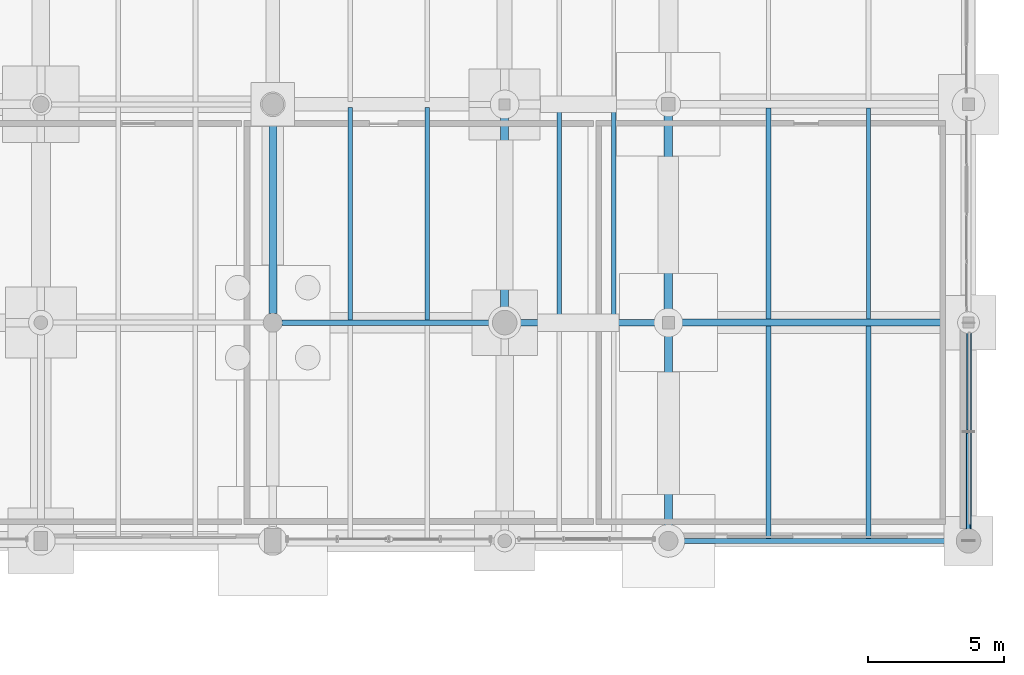
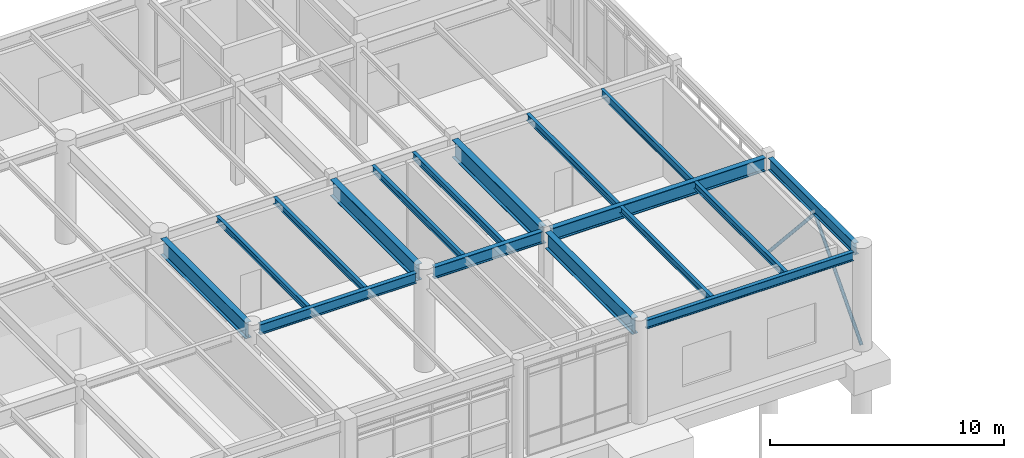
# One storey, part 133 of 203: 17 beams, 2 members.
"""IFC4 building model written with IfcOpenShell, lengths in metres."""

from ifc_helpers import new_model, si_unit, direction, frame, origin, origin_2d, place, context, subcontext, project, spatial, hollow_circle, i_section, extrude, material, material_profile, profile_set, type_object, element, save


model = new_model("IFC4")

# Units and contexts
model_context = context("Model", 3, precision=1e-05, world=origin(), true_north=direction((0.0, 1.0)))
body_context = subcontext(model_context, "Body", "Model", "MODEL_VIEW")
ifc_project = project(units=[si_unit("LENGTHUNIT", "METRE"), si_unit("AREAUNIT", "SQUARE_METRE"), si_unit("VOLUMEUNIT", "CUBIC_METRE"), si_unit("PLANEANGLEUNIT", "RADIAN"), si_unit("MASSUNIT", "GRAM", prefix="KILO"), si_unit("THERMODYNAMICTEMPERATUREUNIT", "KELVIN"), si_unit("POWERUNIT", "WATT")], contexts=[model_context])

# Site, building, storey
site_placement = place(None, origin())
site = spatial("IfcSite", under=ifc_project, at=site_placement, CompositionType="ELEMENT")
building_placement = place(site_placement, origin())
building = spatial("IfcBuilding", under=site, at=building_placement, Name="Tepalcoro Natatorium and Aquatics Centre", CompositionType="ELEMENT")
storey_placement = place(building_placement, origin())
storey = spatial("IfcBuildingStorey", under=building, at=storey_placement, Name="L00", CompositionType="ELEMENT", Elevation=0.0)

# Beams
ifc_material_1 = material(Name="Steel ASTM A992 Grade 50 (Fy 345 MPa)", Category="steel")
ifc_material_profile_1 = material_profile(ifc_material_1, i_section(OverallWidth=0.2099609375, OverallDepth=0.532958984375, WebThickness=0.010009765625, FlangeThickness=0.01611328125, FilletRadius=0.013916015625, at=origin_2d()), Name="W21X62")
ifc_profile_set_1 = profile_set([ifc_material_profile_1], Name="Steel ASTM A992 Grade 50 (Fy 345 MPa)")
beam_type_1 = type_object("IfcBeamType", Name="BM_W21x62", PredefinedType="BEAM", material=ifc_profile_set_1)
beam_1_placement = place(storey_placement, frame((150.8349609375, 94.0, 4.8583984375), z_axis=(1.0, 0.0, 0.0), x_axis=(0.0, 1.0, 0.0)))
element("IfcBeam", 1, at=beam_1_placement, inside=storey, type_object=beam_type_1, Name="V5 L00 Grid Girder X", PredefinedType="BEAM", context=body_context, shape_type="SweptSolid", body=[
    extrude(i_section(OverallWidth=0.2099609375, OverallDepth=0.532958984375, WebThickness=0.010009765625, FlangeThickness=0.01611328125, FilletRadius=0.013916015625, at=origin_2d()), origin(), (0.0, 0.0, 1.0), 7.72998046875),
])
ifc_material_profile_2 = material_profile(ifc_material_1, i_section(OverallWidth=0.22998046875, OverallDepth=0.616943359375, WebThickness=0.012939453125, FlangeThickness=0.02197265625, FilletRadius=0.013916015625, at=origin_2d()), Name="W24X94")
ifc_profile_set_2 = profile_set([ifc_material_profile_2], Name="Steel ASTM A992 Grade 50 (Fy 345 MPa)")
beam_type_2 = type_object("IfcBeamType", Name="BM_W24x94", PredefinedType="BEAM", material=ifc_profile_set_2)
beam_2_placement = place(storey_placement, frame((159.43505859375, 94.0, 4.81640625), z_axis=(1.0, 0.0, 0.0), x_axis=(0.0, 1.0, 0.0)))
element("IfcBeam", 2, at=beam_2_placement, inside=storey, type_object=beam_type_2, Name="V5 L00 Grid Girder X", PredefinedType="BEAM", context=body_context, shape_type="SweptSolid", body=[
    extrude(i_section(OverallWidth=0.22998046875, OverallDepth=0.616943359375, WebThickness=0.012939453125, FlangeThickness=0.02197265625, FilletRadius=0.013916015625, at=origin_2d()), origin(), (0.0, 0.0, 1.0), 5.35498046875),
])
ifc_material_profile_3 = material_profile(ifc_material_1, i_section(OverallWidth=0.25390625, OverallDepth=0.700927734375, WebThickness=0.014892578125, FlangeThickness=0.028076171875, FilletRadius=0.013916015625, at=origin_2d()), Name="W27X129")
ifc_profile_set_3 = profile_set([ifc_material_profile_3], Name="Steel ASTM A992 Grade 50 (Fy 345 MPa)")
beam_type_3 = type_object("IfcBeamType", Name="BM_W27x129", PredefinedType="BEAM", material=ifc_profile_set_3)
beam_3_placement = place(storey_placement, frame((165.2099609375, 94.0, 4.7744140625), z_axis=(1.0, 0.0, 0.0), x_axis=(0.0, 1.0, 0.0)))
element("IfcBeam", 3, at=beam_3_placement, inside=storey, type_object=beam_type_3, Name="V5 L00 Grid Girder X", PredefinedType="BEAM", context=body_context, shape_type="SweptSolid", body=[
    extrude(i_section(OverallWidth=0.25390625, OverallDepth=0.700927734375, WebThickness=0.014892578125, FlangeThickness=0.028076171875, FilletRadius=0.013916015625, at=origin_2d()), origin(), (0.0, 0.0, 1.0), 10.60498046875),
])
ifc_material_profile_4 = material_profile(ifc_material_1, i_section(OverallWidth=0.2919921875, OverallDepth=0.845947265625, WebThickness=0.014892578125, FlangeThickness=0.02392578125, FilletRadius=0.013916015625, at=origin_2d()), Name="W33X141")
ifc_profile_set_4 = profile_set([ifc_material_profile_4], Name="Steel ASTM A992 Grade 50 (Fy 345 MPa)")
beam_type_4 = type_object("IfcBeamType", Name="BM_W33x141", PredefinedType="BEAM", material=ifc_profile_set_4)
beam_4_placement = place(storey_placement, frame((150.5, 94.3349609375, 4.701904296875), z_axis=(0.0, 1.0, 0.0), x_axis=(-1.0, 0.0, 0.0)))
element("IfcBeam", 4, at=beam_4_placement, inside=storey, type_object=beam_type_4, Name="V5 L00 Grid Girder Y", PredefinedType="BEAM", context=body_context, shape_type="SweptSolid", body=[
    extrude(i_section(OverallWidth=0.2919921875, OverallDepth=0.845947265625, WebThickness=0.014892578125, FlangeThickness=0.02392578125, FilletRadius=0.013916015625, at=origin_2d()), origin(), (0.0, 0.0, 1.0), 7.280029296875),
])
beam_5_placement = place(storey_placement, frame((165.0, 86.3349609375, 4.701904296875), z_axis=(0.0, 1.0, 0.0), x_axis=(-1.0, 0.0, 0.0)))
element("IfcBeam", 5, at=beam_5_placement, inside=storey, type_object=beam_type_4, Name="V5 L00 Grid Girder Y", PredefinedType="BEAM", context=body_context, shape_type="SweptSolid", body=[
    extrude(i_section(OverallWidth=0.2919921875, OverallDepth=0.845947265625, WebThickness=0.014892578125, FlangeThickness=0.02392578125, FilletRadius=0.013916015625, at=origin_2d()), origin(), (0.0, 0.0, 1.0), 7.455078125),
])
ifc_material_profile_5 = material_profile(ifc_material_1, i_section(OverallWidth=0.2919921875, OverallDepth=0.85888671875, WebThickness=0.01708984375, FlangeThickness=0.031005859375, FilletRadius=0.013916015625, at=origin_2d()), Name="W33X169")
ifc_profile_set_5 = profile_set([ifc_material_profile_5], Name="Steel ASTM A992 Grade 50 (Fy 345 MPa)")
beam_type_5 = type_object("IfcBeamType", Name="BM_W33x169", PredefinedType="BEAM", material=ifc_profile_set_5)
beam_6_placement = place(storey_placement, frame((159.0, 94.43505859375, 4.695556640625), z_axis=(0.0, 1.0, 0.0), x_axis=(-1.0, 0.0, 0.0)))
element("IfcBeam", 6, at=beam_6_placement, inside=storey, type_object=beam_type_5, Name="V5 L00 Grid Girder Y", PredefinedType="BEAM", context=body_context, shape_type="SweptSolid", body=[
    extrude(i_section(OverallWidth=0.2919921875, OverallDepth=0.85888671875, WebThickness=0.01708984375, FlangeThickness=0.031005859375, FilletRadius=0.013916015625, at=origin_2d()), origin(), (0.0, 0.0, 1.0), 7.3798828125),
])
ifc_material_profile_6 = material_profile(ifc_material_1, i_section(OverallWidth=0.304931640625, OverallDepth=0.9189453125, WebThickness=0.01708984375, FlangeThickness=0.028076171875, FilletRadius=0.013916015625, at=origin_2d()), Name="W36X170")
ifc_profile_set_6 = profile_set([ifc_material_profile_6], Name="Steel ASTM A992 Grade 50 (Fy 345 MPa)")
beam_type_6 = type_object("IfcBeamType", Name="BM_W36x170", PredefinedType="BEAM", material=ifc_profile_set_6)
beam_7_placement = place(storey_placement, frame((165.0, 94.2099609375, 4.66552734375), z_axis=(0.0, 1.0, 0.0), x_axis=(-1.0, 0.0, 0.0)))
element("IfcBeam", 7, at=beam_7_placement, inside=storey, type_object=beam_type_6, Name="V5 L00 Grid Girder Y", PredefinedType="BEAM", context=body_context, shape_type="SweptSolid", body=[
    extrude(i_section(OverallWidth=0.304931640625, OverallDepth=0.9189453125, WebThickness=0.01708984375, FlangeThickness=0.028076171875, FilletRadius=0.013916015625, at=origin_2d()), origin(), (0.0, 0.0, 1.0), 7.554931640625),
])
ifc_material_profile_7 = material_profile(ifc_material_1, i_section(OverallWidth=0.1669921875, OverallDepth=0.318115234375, WebThickness=0.008056640625, FlangeThickness=0.012939453125, FilletRadius=0.013916015625, at=origin_2d()), Name="W12X35")
ifc_profile_set_7 = profile_set([ifc_material_profile_7], Name="Steel ASTM A992 Grade 50 (Fy 345 MPa)")
beam_type_7 = type_object("IfcBeamType", Name="JS_W12x35", PredefinedType="JOIST", material=ifc_profile_set_7)
beam_8_placement = place(storey_placement, frame((153.333251953125, 94.10498046875, 4.966064453125), z_axis=(0.0, 1.0, 0.0), x_axis=(-1.0, 0.0, 0.0)))
element("IfcBeam", 8, at=beam_8_placement, inside=storey, type_object=beam_type_7, Name="V5 L00 Floor Joist", PredefinedType="JOIST", context=body_context, shape_type="SweptSolid", body=[
    extrude(i_section(OverallWidth=0.1669921875, OverallDepth=0.318115234375, WebThickness=0.008056640625, FlangeThickness=0.012939453125, FilletRadius=0.013916015625, at=origin_2d()), origin(), (0.0, 0.0, 1.0), 7.7890625),
])
ifc_material_profile_8 = material_profile(ifc_material_1, i_section(OverallWidth=0.1708984375, OverallDepth=0.35107421875, WebThickness=0.007080078125, FlangeThickness=0.010009765625, FilletRadius=0.013916015625, at=origin_2d()), Name="W14X30")
ifc_profile_set_8 = profile_set([ifc_material_profile_8], Name="Steel ASTM A992 Grade 50 (Fy 345 MPa)")
beam_type_8 = type_object("IfcBeamType", Name="JS_W14x30", PredefinedType="JOIST", material=ifc_profile_set_8)
beam_9_placement = place(storey_placement, frame((156.166748046875, 94.10498046875, 4.949462890625), z_axis=(0.0, 1.0, 0.0), x_axis=(-1.0, 0.0, 0.0)))
element("IfcBeam", 9, at=beam_9_placement, inside=storey, type_object=beam_type_8, Name="V5 L00 Floor Joist", PredefinedType="JOIST", context=body_context, shape_type="SweptSolid", body=[
    extrude(i_section(OverallWidth=0.1708984375, OverallDepth=0.35107421875, WebThickness=0.007080078125, FlangeThickness=0.010009765625, FilletRadius=0.013916015625, at=origin_2d()), origin(), (0.0, 0.0, 1.0), 7.7890625),
])
beam_10_placement = place(storey_placement, frame((161.0, 94.114990234375, 4.949462890625), z_axis=(0.0, 1.0, 0.0), x_axis=(-1.0, 0.0, 0.0)))
element("IfcBeam", 10, at=beam_10_placement, inside=storey, type_object=beam_type_8, Name="V5 L00 Floor Joist", PredefinedType="JOIST", context=body_context, shape_type="SweptSolid", body=[
    extrude(i_section(OverallWidth=0.1708984375, OverallDepth=0.35107421875, WebThickness=0.007080078125, FlangeThickness=0.010009765625, FilletRadius=0.013916015625, at=origin_2d()), origin(), (0.0, 0.0, 1.0), 7.722412109375),
])
beam_11_placement = place(storey_placement, frame((168.666748046875, 86.095458984375, 4.949462890625), z_axis=(0.0, 1.0, 0.0), x_axis=(-1.0, 0.0, 0.0)))
element("IfcBeam", 11, at=beam_11_placement, inside=storey, type_object=beam_type_8, Name="V5 L00 Floor Joist", PredefinedType="JOIST", context=body_context, shape_type="SweptSolid", body=[
    extrude(i_section(OverallWidth=0.1708984375, OverallDepth=0.35107421875, WebThickness=0.007080078125, FlangeThickness=0.010009765625, FilletRadius=0.013916015625, at=origin_2d()), origin(), (0.0, 0.0, 1.0), 7.777587890625),
])
ifc_material_profile_9 = material_profile(ifc_material_1, i_section(OverallWidth=0.172119140625, OverallDepth=0.35791015625, WebThickness=0.008056640625, FlangeThickness=0.012939453125, FilletRadius=0.013916015625, at=origin_2d()), Name="W14X38")
ifc_profile_set_9 = profile_set([ifc_material_profile_9], Name="Steel ASTM A992 Grade 50 (Fy 345 MPa)")
beam_type_9 = type_object("IfcBeamType", Name="JS_W14x38", PredefinedType="JOIST", material=ifc_profile_set_9)
beam_12_placement = place(storey_placement, frame((163.0, 94.114990234375, 4.946044921875), z_axis=(0.0, 1.0, 0.0), x_axis=(-1.0, 0.0, 0.0)))
element("IfcBeam", 12, at=beam_12_placement, inside=storey, type_object=beam_type_9, Name="V5 L00 Floor Joist", PredefinedType="JOIST", context=body_context, shape_type="SweptSolid", body=[
    extrude(i_section(OverallWidth=0.172119140625, OverallDepth=0.35791015625, WebThickness=0.008056640625, FlangeThickness=0.012939453125, FilletRadius=0.013916015625, at=origin_2d()), origin(), (0.0, 0.0, 1.0), 7.722412109375),
])
beam_13_placement = place(storey_placement, frame((172.333251953125, 86.095458984375, 4.946044921875), z_axis=(0.0, 1.0, 0.0), x_axis=(-1.0, 0.0, 0.0)))
element("IfcBeam", 13, at=beam_13_placement, inside=storey, type_object=beam_type_9, Name="V5 L00 Floor Joist", PredefinedType="JOIST", context=body_context, shape_type="SweptSolid", body=[
    extrude(i_section(OverallWidth=0.172119140625, OverallDepth=0.35791015625, WebThickness=0.008056640625, FlangeThickness=0.012939453125, FilletRadius=0.013916015625, at=origin_2d()), origin(), (0.0, 0.0, 1.0), 7.777587890625),
])
beam_14_placement = place(storey_placement, frame((168.666748046875, 94.126953125, 4.946044921875), z_axis=(0.0, 1.0, 0.0), x_axis=(-1.0, 0.0, 0.0)))
element("IfcBeam", 14, at=beam_14_placement, inside=storey, type_object=beam_type_9, Name="V5 L00 Floor Joist", PredefinedType="JOIST", context=body_context, shape_type="SweptSolid", body=[
    extrude(i_section(OverallWidth=0.172119140625, OverallDepth=0.35791015625, WebThickness=0.008056640625, FlangeThickness=0.012939453125, FilletRadius=0.013916015625, at=origin_2d()), origin(), (0.0, 0.0, 1.0), 7.739501953125),
])
ifc_material_profile_10 = material_profile(ifc_material_1, i_section(OverallWidth=0.139892578125, OverallDepth=0.404052734375, WebThickness=0.007080078125, FlangeThickness=0.010986328125, FilletRadius=0.013916015625, at=origin_2d()), Name="W16X31")
ifc_profile_set_10 = profile_set([ifc_material_profile_10], Name="Steel ASTM A992 Grade 50 (Fy 345 MPa)")
beam_type_10 = type_object("IfcBeamType", Name="JS_W16x31", PredefinedType="JOIST", material=ifc_profile_set_10)
beam_15_placement = place(storey_placement, frame((172.333251953125, 94.126953125, 4.923095703125), z_axis=(0.0, 1.0, 0.0), x_axis=(-1.0, 0.0, 0.0)))
element("IfcBeam", 15, at=beam_15_placement, inside=storey, type_object=beam_type_10, Name="V5 L00 Floor Joist", PredefinedType="JOIST", context=body_context, shape_type="SweptSolid", body=[
    extrude(i_section(OverallWidth=0.139892578125, OverallDepth=0.404052734375, WebThickness=0.007080078125, FlangeThickness=0.010986328125, FilletRadius=0.013916015625, at=origin_2d()), origin(), (0.0, 0.0, 1.0), 7.739501953125),
])

# Members
ifc_material_2 = material(Name="Hollow Steel ASTM A500 Grade C (Fy 345 MPa)", Category="steel")
ifc_material_profile_11 = material_profile(ifc_material_2, hollow_circle(Radius=0.083984375, WallThickness=0.010009765625, at=origin_2d()), Name="CHS168X10")
ifc_profile_set_11 = profile_set([ifc_material_profile_11], Name="Hollow Steel ASTM A500 Grade C (Fy 345 MPa)")
member_type = type_object("IfcMemberType", Name="MB_BR_CHS168x10", PredefinedType="BRACE", material=ifc_profile_set_11)
for number, where, z_axis, x_axis, name in (
    (16, (176.0, 86.0, 0.050048828125), (0.0, 0.668506986445, 0.743705861934), (-1.0, 0.0, 0.0), "V5 L00 Chevron Lateral Brace"),
    (17, (176.0, 94.0, 0.050048828125), (0.0, -0.668506986445, 0.743705861934), (1.0, 0.0, 0.0), "V5 L00 Chevron Lateral Brace"),
):
    element("IfcMember", number, at=place(storey_placement, frame(where, z_axis=z_axis, x_axis=x_axis)), inside=storey, type_object=member_type, Name=name, PredefinedType="BRACE", context=body_context, shape_type="SweptSolid", body=[
        extrude(hollow_circle(Radius=0.083984375, WallThickness=0.010009765625, at=origin_2d()), origin(), (0.0, 0.0, 1.0), 5.9833984375),
    ])

# Beams
ifc_material_profile_12 = material_profile(ifc_material_1, i_section(OverallWidth=0.19091796875, OverallDepth=0.4599609375, WebThickness=0.010009765625, FlangeThickness=0.01611328125, FilletRadius=0.013916015625, at=origin_2d()), Name="W18X55")
ifc_profile_set_12 = profile_set([ifc_material_profile_12], Name="Steel ASTM A992 Grade 50 (Fy 345 MPa)")
beam_type_11 = type_object("IfcBeamType", Name="SP_W18x55", PredefinedType="SPANDREL", material=ifc_profile_set_12)
beam_16_placement = place(storey_placement, frame((165.3349609375, 86.0, 4.89501953125), z_axis=(1.0, 0.0, 0.0), x_axis=(0.0, 1.0, 0.0)))
element("IfcBeam", 18, at=beam_16_placement, inside=storey, type_object=beam_type_11, Name="V5 L00 Grid Girder X", PredefinedType="SPANDREL", context=body_context, shape_type="SweptSolid", body=[
    extrude(i_section(OverallWidth=0.19091796875, OverallDepth=0.4599609375, WebThickness=0.010009765625, FlangeThickness=0.01611328125, FilletRadius=0.013916015625, at=origin_2d()), origin(), (0.0, 0.0, 1.0), 10.22998046875),
])
ifc_material_profile_13 = material_profile(ifc_material_1, i_section(OverallWidth=0.22900390625, OverallDepth=0.612060546875, WebThickness=0.011962890625, FlangeThickness=0.02001953125, FilletRadius=0.013916015625, at=origin_2d()), Name="W24X84")
ifc_profile_set_13 = profile_set([ifc_material_profile_13], Name="Steel ASTM A992 Grade 50 (Fy 345 MPa)")
beam_type_12 = type_object("IfcBeamType", Name="SP_W24x84", PredefinedType="SPANDREL", material=ifc_profile_set_13)
beam_17_placement = place(storey_placement, frame((176.0, 86.43505859375, 4.819091796875), z_axis=(0.0, 1.0, 0.0), x_axis=(-1.0, 0.0, 0.0)))
element("IfcBeam", 19, at=beam_17_placement, inside=storey, type_object=beam_type_12, Name="V5 L00 Grid Girder Y", PredefinedType="SPANDREL", context=body_context, shape_type="SweptSolid", body=[
    extrude(i_section(OverallWidth=0.22900390625, OverallDepth=0.612060546875, WebThickness=0.011962890625, FlangeThickness=0.02001953125, FilletRadius=0.013916015625, at=origin_2d()), origin(), (0.0, 0.0, 1.0), 7.3798828125),
])

save(model, "model.ifc")
